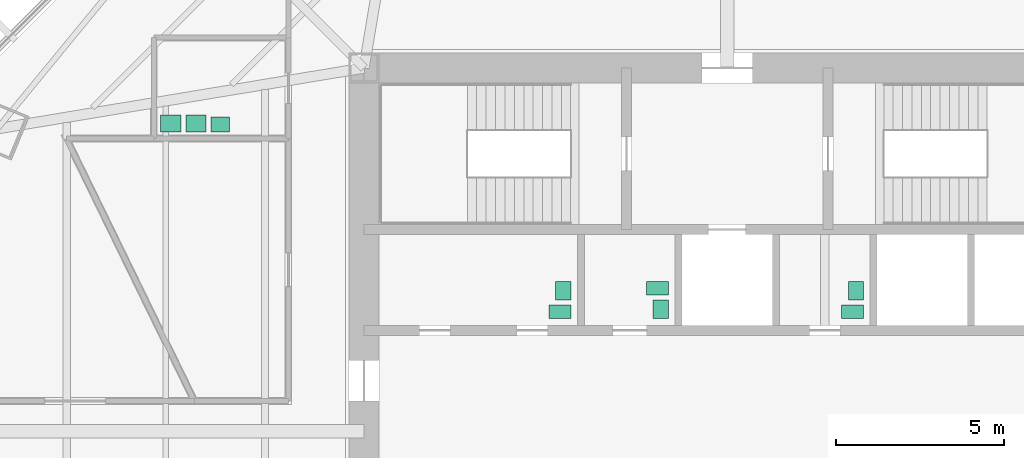
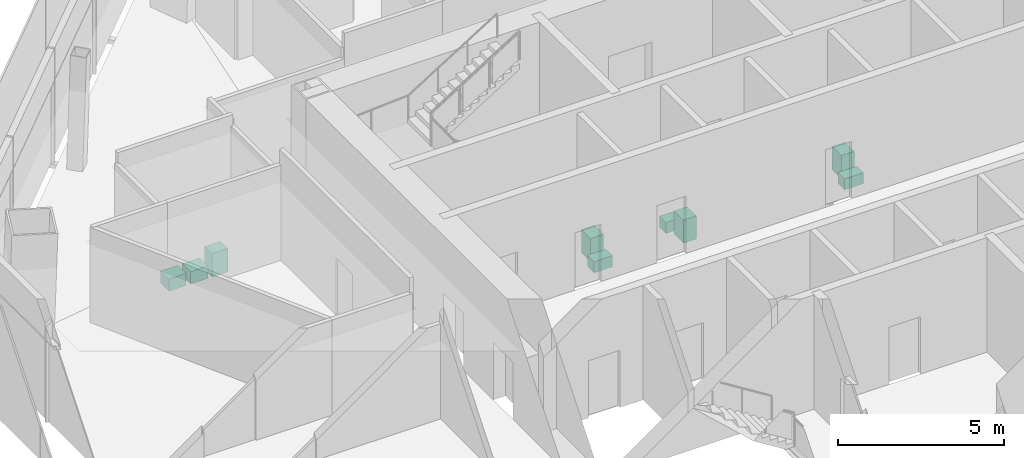
# One storey, part 15 of 15: 9 sanitary terminals.
"""IFC4 building model written with IfcOpenShell, lengths in metres."""

from ifc_helpers import new_model, si_unit, direction, frame, origin, origin_2d, place, context, subcontext, project, spatial, rectangle, extrude, material, type_object, element, save


model = new_model("IFC4")

# Units and contexts
model_context = context("Model", 3, precision=1e-05, world=origin(), true_north=direction((0.0, 1.0)))
body_context = subcontext(model_context, "Body", "Model", "MODEL_VIEW")
ifc_project = project(units=[si_unit("LENGTHUNIT", "METRE"), si_unit("AREAUNIT", "SQUARE_METRE"), si_unit("VOLUMEUNIT", "CUBIC_METRE"), si_unit("PLANEANGLEUNIT", "RADIAN"), si_unit("MASSUNIT", "GRAM", prefix="KILO")], contexts=[model_context])

# Site, building, storey
site_placement = place(None, origin())
site = spatial("IfcSite", under=ifc_project, at=site_placement, CompositionType="ELEMENT")
building_placement = place(site_placement, origin())
building = spatial("IfcBuilding", under=site, at=building_placement, Name="Mashrafa Tower", CompositionType="ELEMENT")
storey_placement = place(building_placement, frame((0.0, 0.0, 163.800048828125)))
storey = spatial("IfcBuildingStorey", under=building, at=storey_placement, Name="L37", CompositionType="ELEMENT", Elevation=163.800048828125)

# Sanitary terminals
ifc_material_1 = material(Name="Stainless steel", Category="steel")
sanitary_terminal_type_1 = type_object("IfcSanitaryTerminalType", Name="Ablution wash station 600 x 500", PredefinedType="WASHHANDBASIN", material=ifc_material_1)
for number, where, z_axis, x_axis, name in (
    (1, (-16.550048828125, 9.14990234375, 0.0), (0.0, 0.0, 1.0), (1.0, 0.0, 0.0), "Ablution wash station Ablution Room L37"),
    (2, (-15.800048828125, 9.14990234375, 0.0), (0.0, 0.0, 1.0), (1.0, 0.0, 0.0), "Ablution wash station Ablution Room L37"),
):
    element("IfcSanitaryTerminal", number, at=place(storey_placement, frame(where, z_axis=z_axis, x_axis=x_axis)), inside=storey, type_object=sanitary_terminal_type_1, Name=name, PredefinedType="WASHHANDBASIN", context=body_context, shape_type="SweptSolid", body=[
        extrude(rectangle(XDim=0.60009765625, YDim=0.5, at=origin_2d()), origin(), (0.0, 0.0, 1.0), 0.449951171875),
    ])
ifc_material_2 = material(Name="Vitreous china")
sanitary_terminal_type_2 = type_object("IfcSanitaryTerminalType", Name="Toilet pan 400 x 650", PredefinedType="TOILETPAN", material=ifc_material_2)
for number, where, z_axis, x_axis, name in (
    (3, (-4.97509765625, 3.550048828125, 0.0), (0.0, 0.0, 1.0), (0.0, 1.0, 0.0), "Toilet pan WC Female L37"),
    (4, (-2.074951171875, 4.25, 0.0), (0.0, 0.0, 1.0), (0.0, 1.0, 0.0), "Toilet pan Accessible WC L37"),
    (5, (3.72509765625, 3.550048828125, 0.0), (0.0, 0.0, 1.0), (0.0, 1.0, 0.0), "Toilet pan WC Male L37"),
):
    element("IfcSanitaryTerminal", number, at=place(storey_placement, frame(where, z_axis=z_axis, x_axis=x_axis)), inside=storey, type_object=sanitary_terminal_type_2, Name=name, PredefinedType="TOILETPAN", context=body_context, shape_type="SweptSolid", body=[
        extrude(rectangle(XDim=0.39990234375, YDim=0.64990234375, at=origin_2d()), origin(), (0.0, 0.0, 1.0), 0.39990234375),
    ])
ifc_material_3 = material(Name="Vitreous china")
sanitary_terminal_type_3 = type_object("IfcSanitaryTerminalType", Name="Wash basin 550 x 450", PredefinedType="WASHHANDBASIN", material=ifc_material_3)
for number, where, z_axis, x_axis, name in (
    (6, (-4.875, 4.175048828125, 0.0), (0.0, 0.0, 1.0), (0.0, 1.0, 0.0), "Wash basin WC Female L37"),
    (7, (-1.97509765625, 3.625, 0.0), (0.0, 0.0, 1.0), (0.0, 1.0, 0.0), "Wash basin Accessible WC L37"),
    (8, (3.824951171875, 4.175048828125, 0.0), (0.0, 0.0, 1.0), (0.0, 1.0, 0.0), "Wash basin WC Male L37"),
    (9, (-15.074951171875, 9.125, 0.0), (0.0, 0.0, 1.0), (1.0, 0.0, 0.0), "Wash basin Ablution Room L37"),
):
    element("IfcSanitaryTerminal", number, at=place(storey_placement, frame(where, z_axis=z_axis, x_axis=x_axis)), inside=storey, type_object=sanitary_terminal_type_3, Name=name, PredefinedType="WASHHANDBASIN", context=body_context, shape_type="SweptSolid", body=[
        extrude(rectangle(XDim=0.550048828125, YDim=0.449951171875, at=origin_2d()), origin(), (0.0, 0.0, 1.0), 0.85009765625),
    ])

save(model, "model.ifc")
